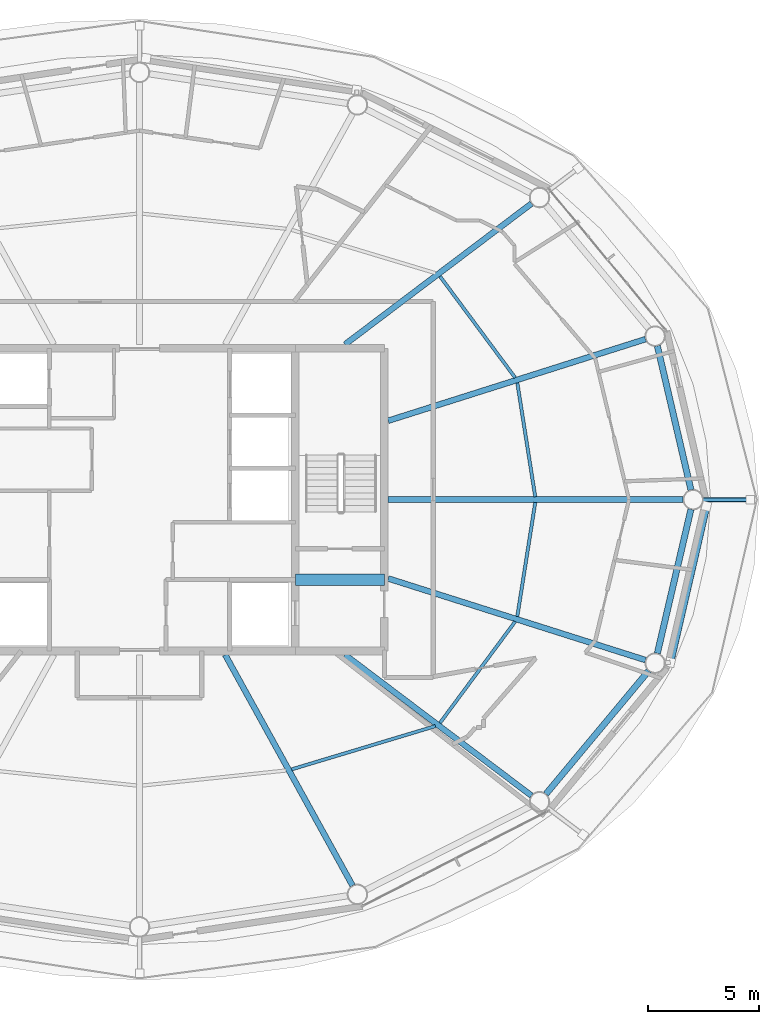
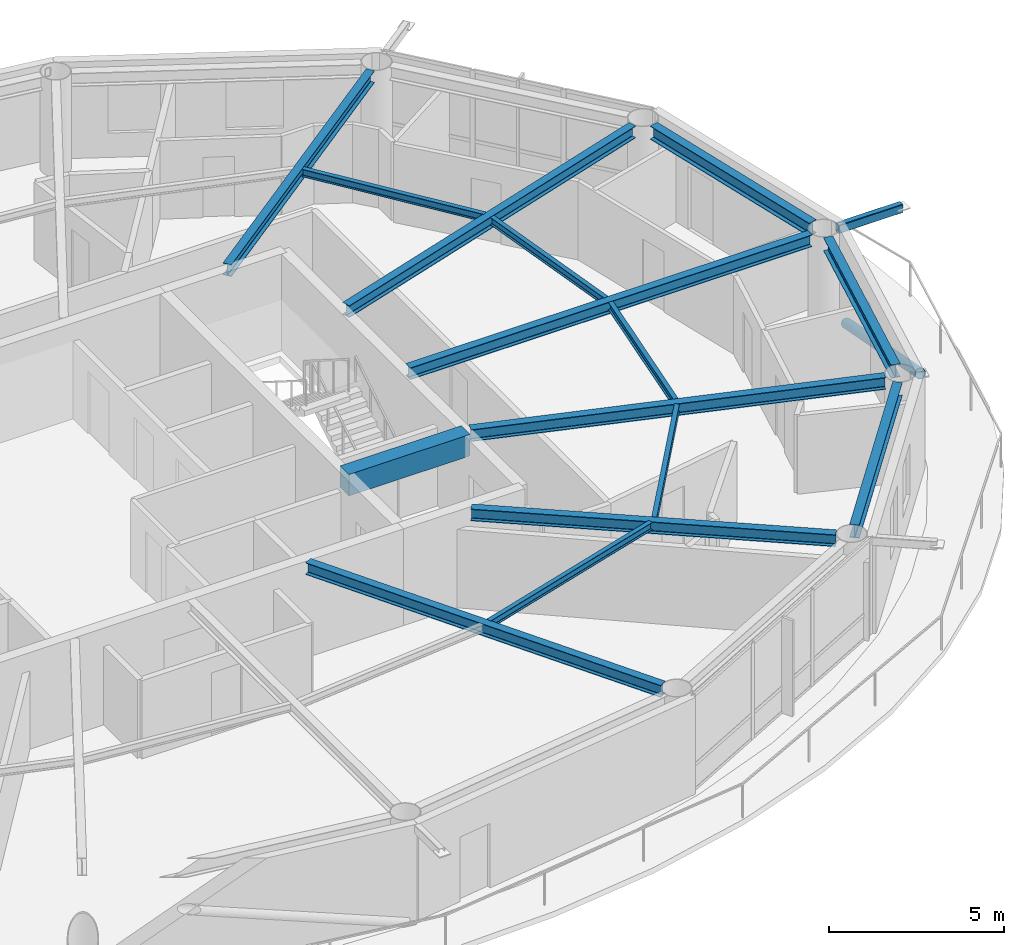
# One storey, part 6 of 22: 15 beams, 2 members.
"""IFC4 building model written with IfcOpenShell, lengths in metres."""

from ifc_helpers import new_model, si_unit, direction, frame, origin, origin_2d, place, context, subcontext, project, spatial, rectangle, hollow_rectangle, hollow_circle, i_section, extrude, material, material_profile, profile_set, type_object, element, save


model = new_model("IFC4")

# Units and contexts
model_context = context("Model", 3, precision=1e-05, world=origin(), true_north=direction((0.0, 1.0)))
body_context = subcontext(model_context, "Body", "Model", "MODEL_VIEW")
ifc_project = project(units=[si_unit("LENGTHUNIT", "METRE"), si_unit("AREAUNIT", "SQUARE_METRE"), si_unit("VOLUMEUNIT", "CUBIC_METRE"), si_unit("PLANEANGLEUNIT", "RADIAN"), si_unit("MASSUNIT", "GRAM", prefix="KILO")], contexts=[model_context])

# Site, building, storey
site_placement = place(None, origin())
site = spatial("IfcSite", under=ifc_project, at=site_placement, CompositionType="ELEMENT")
building_placement = place(site_placement, origin())
building = spatial("IfcBuilding", under=site, at=building_placement, Name="Sarneth Arch Tower", CompositionType="ELEMENT")
storey_placement = place(building_placement, frame((0.0, 0.0, 305.39990234375)))
storey = spatial("IfcBuildingStorey", under=building, at=storey_placement, Name="L79", CompositionType="ELEMENT", Elevation=305.39990234375)

# Beams
ifc_material_1 = material(Name="Steel S355", Category="steel")
ifc_material_profile_1 = material_profile(ifc_material_1, i_section(OverallWidth=0.14794921875, OverallDepth=0.26611328125, WebThickness=0.007568359375, FlangeThickness=0.012939453125, FilletRadius=0.012939453125, at=origin_2d()), Name="W250x44.8")
ifc_profile_set_1 = profile_set([ifc_material_profile_1], Name="Steel S355")
beam_type_1 = type_object("IfcBeamType", Name="BM-JOIST-250", PredefinedType="JOIST", material=ifc_profile_set_1)
beam_1_placement = place(storey_placement, frame((65.783935546875, 42.12841796875, 3.237060546875), z_axis=(-0.155556266572, 0.987827033407, 0.0), x_axis=(-0.987827033407, -0.155556266572, 0.0)))
element("IfcBeam", 1, at=beam_1_placement, inside=storey, type_object=beam_type_1, Name="L79 Secondary floor joist 01", PredefinedType="JOIST", context=body_context, shape_type="SweptSolid", body=[
    extrude(i_section(OverallWidth=0.14794921875, OverallDepth=0.26611328125, WebThickness=0.007568359375, FlangeThickness=0.012939453125, FilletRadius=0.012939453125, at=origin_2d()), origin(), (0.0, 0.0, 1.0), 5.183837890625),
])
beam_2_placement = place(storey_placement, frame((64.880126953125, 47.482177734375, 3.237060546875), z_axis=(-0.595712519616, 0.803197730309, 0.0), x_axis=(-0.803197730309, -0.595712519616, 0.0)))
element("IfcBeam", 2, at=beam_2_placement, inside=storey, type_object=beam_type_1, Name="L79 Secondary floor joist 02", PredefinedType="JOIST", context=body_context, shape_type="SweptSolid", body=[
    extrude(i_section(OverallWidth=0.14794921875, OverallDepth=0.26611328125, WebThickness=0.007568359375, FlangeThickness=0.012939453125, FilletRadius=0.012939453125, at=origin_2d()), origin(), (0.0, 0.0, 1.0), 5.669189453125),
])
beam_3_placement = place(storey_placement, frame((54.836181640625, 29.877685546875, 3.237060546875), z_axis=(0.95760703602, 0.288077705776, 0.0), x_axis=(-0.288077705776, 0.95760703602, 0.0)))
element("IfcBeam", 3, at=beam_3_placement, inside=storey, type_object=beam_type_1, Name="L79 Secondary floor joist 14", PredefinedType="JOIST", context=body_context, shape_type="SweptSolid", body=[
    extrude(i_section(OverallWidth=0.14794921875, OverallDepth=0.26611328125, WebThickness=0.007568359375, FlangeThickness=0.012939453125, FilletRadius=0.012939453125, at=origin_2d()), origin(), (0.0, 0.0, 1.0), 6.7509765625),
])
beam_4_placement = place(storey_placement, frame((61.5029296875, 31.96435546875, 3.237060546875), z_axis=(0.595712519616, 0.803197730309, 0.0), x_axis=(-0.803197730309, 0.595712519616, 0.0)))
element("IfcBeam", 4, at=beam_4_placement, inside=storey, type_object=beam_type_1, Name="L79 Secondary floor joist 15", PredefinedType="JOIST", context=body_context, shape_type="SweptSolid", body=[
    extrude(i_section(OverallWidth=0.14794921875, OverallDepth=0.26611328125, WebThickness=0.007568359375, FlangeThickness=0.012939453125, FilletRadius=0.012939453125, at=origin_2d()), origin(), (0.0, 0.0, 1.0), 5.669189453125),
])
beam_5_placement = place(storey_placement, frame((64.9775390625, 36.750732421875, 3.237060546875), z_axis=(0.155556266572, 0.987827033407, 0.0), x_axis=(-0.987827033407, 0.155556266572, 0.0)))
element("IfcBeam", 5, at=beam_5_placement, inside=storey, type_object=beam_type_1, Name="L79 Secondary floor joist 16", PredefinedType="JOIST", context=body_context, shape_type="SweptSolid", body=[
    extrude(i_section(OverallWidth=0.14794921875, OverallDepth=0.26611328125, WebThickness=0.007568359375, FlangeThickness=0.012939453125, FilletRadius=0.012939453125, at=origin_2d()), origin(), (0.0, 0.0, 1.0), 5.183837890625),
])
ifc_material_2 = material(Name="Concrete C50/60", Category="concrete")
ifc_material_profile_2 = material_profile(ifc_material_2, rectangle(XDim=0.5, YDim=0.75, at=origin_2d()), Name="RC-500x750")
ifc_profile_set_2 = profile_set([ifc_material_profile_2], Name="Concrete C50/60")
beam_type_2 = type_object("IfcBeamType", Name="BM-LINTEL-RC", PredefinedType="LINTEL", material=ifc_profile_set_2)
beam_6_placement = place(storey_placement, frame((55.0, 38.39990234375, 2.9951171875), z_axis=(1.0, 0.0, 0.0), x_axis=(0.0, 1.0, 0.0)))
element("IfcBeam", 6, at=beam_6_placement, inside=storey, type_object=beam_type_2, Name="L79 Core coupling lintel E", PredefinedType="LINTEL", context=body_context, shape_type="SweptSolid", body=[
    extrude(rectangle(XDim=0.5, YDim=0.75, at=origin_2d()), origin(), (0.0, 0.0, 1.0), 4.0),
])
ifc_material_3 = material(Name="Steel S355", Category="steel")
ifc_material_profile_3 = material_profile(ifc_material_3, i_section(OverallWidth=0.260009765625, OverallDepth=0.4150390625, WebThickness=0.010009765625, FlangeThickness=0.016845703125, FilletRadius=0.01611328125, at=origin_2d()), Name="W410x100")
ifc_profile_set_3 = profile_set([ifc_material_profile_3], Name="Steel S355")
beam_type_3 = type_object("IfcBeamType", Name="BM-RAD-410A", PredefinedType="BEAM", material=ifc_profile_set_3)
beam_7_placement = place(storey_placement, frame((59.175048828125, 42.0, 3.16259765625), z_axis=(1.0, 0.0, 0.0), x_axis=(0.0, 1.0, 0.0)))
element("IfcBeam", 7, at=beam_7_placement, inside=storey, type_object=beam_type_3, Name="L79 Radial floor girder 01", PredefinedType="BEAM", context=body_context, shape_type="SweptSolid", body=[
    extrude(i_section(OverallWidth=0.260009765625, OverallDepth=0.4150390625, WebThickness=0.010009765625, FlangeThickness=0.016845703125, FilletRadius=0.01611328125, at=origin_2d()), origin(), (0.0, 0.0, 1.0), 13.258056640625),
])
beam_8_placement = place(storey_placement, frame((59.175048828125, 45.5439453125, 3.16259765625), z_axis=(0.95321762769, 0.302284889237, 0.0), x_axis=(-0.302284889237, 0.95321762769, 0.0)))
element("IfcBeam", 8, at=beam_8_placement, inside=storey, type_object=beam_type_3, Name="L79 Radial floor girder 02", PredefinedType="BEAM", context=body_context, shape_type="SweptSolid", body=[
    extrude(i_section(OverallWidth=0.260009765625, OverallDepth=0.4150390625, WebThickness=0.010009765625, FlangeThickness=0.016845703125, FilletRadius=0.01611328125, at=origin_2d()), origin(), (0.0, 0.0, 1.0), 12.132568359375),
])
beam_9_placement = place(storey_placement, frame((57.23486328125, 48.97509765625, 3.16259765625), z_axis=(0.797981595352, 0.602681817777, 0.0), x_axis=(-0.602681817777, 0.797981595352, 0.0)))
element("IfcBeam", 9, at=beam_9_placement, inside=storey, type_object=beam_type_3, Name="L79 Radial floor girder 03", PredefinedType="BEAM", context=body_context, shape_type="SweptSolid", body=[
    extrude(i_section(OverallWidth=0.260009765625, OverallDepth=0.4150390625, WebThickness=0.010009765625, FlangeThickness=0.016845703125, FilletRadius=0.01611328125, at=origin_2d()), origin(), (0.0, 0.0, 1.0), 10.503173828125),
])
beam_10_placement = place(storey_placement, frame((51.849853515625, 35.02490234375, 3.16259765625), z_axis=(0.483229367873, -0.875493790969, 0.0), x_axis=(0.875493790969, 0.483229367873, 0.0)))
element("IfcBeam", 10, at=beam_10_placement, inside=storey, type_object=beam_type_3, Name="L79 Radial floor girder 14", PredefinedType="BEAM", context=body_context, shape_type="SweptSolid", body=[
    extrude(i_section(OverallWidth=0.260009765625, OverallDepth=0.4150390625, WebThickness=0.010009765625, FlangeThickness=0.016845703125, FilletRadius=0.01611328125, at=origin_2d()), origin(), (0.0, 0.0, 1.0), 11.843994140625),
])
beam_11_placement = place(storey_placement, frame((57.23486328125, 35.02490234375, 3.16259765625), z_axis=(0.797981595352, -0.602681817777, 0.0), x_axis=(0.602681817777, 0.797981595352, 0.0)))
element("IfcBeam", 11, at=beam_11_placement, inside=storey, type_object=beam_type_3, Name="L79 Radial floor girder 15", PredefinedType="BEAM", context=body_context, shape_type="SweptSolid", body=[
    extrude(i_section(OverallWidth=0.260009765625, OverallDepth=0.4150390625, WebThickness=0.010009765625, FlangeThickness=0.016845703125, FilletRadius=0.01611328125, at=origin_2d()), origin(), (0.0, 0.0, 1.0), 10.503173828125),
])
beam_12_placement = place(storey_placement, frame((59.175048828125, 38.4560546875, 3.16259765625), z_axis=(0.95321762769, -0.302284889237, 0.0), x_axis=(0.302284889237, 0.95321762769, 0.0)))
element("IfcBeam", 12, at=beam_12_placement, inside=storey, type_object=beam_type_3, Name="L79 Radial floor girder 16", PredefinedType="BEAM", context=body_context, shape_type="SweptSolid", body=[
    extrude(i_section(OverallWidth=0.260009765625, OverallDepth=0.4150390625, WebThickness=0.010009765625, FlangeThickness=0.016845703125, FilletRadius=0.01611328125, at=origin_2d()), origin(), (0.0, 0.0, 1.0), 12.132568359375),
])
ifc_material_4 = material(Name="Steel S355", Category="steel")
ifc_material_profile_4 = material_profile(ifc_material_4, i_section(OverallWidth=0.280029296875, OverallDepth=0.462890625, WebThickness=0.0107421875, FlangeThickness=0.017333984375, FilletRadius=0.01806640625, at=origin_2d()), Name="W460x113")
ifc_profile_set_4 = profile_set([ifc_material_profile_4], Name="Steel S355")
beam_type_4 = type_object("IfcBeamType", Name="BM-RAD-460A", PredefinedType="BEAM", material=ifc_profile_set_4)
beam_13_placement = place(storey_placement, frame((72.781005859375, 42.438232421875, 3.138671875), z_axis=(-0.227247037844, 0.973837144389, 0.0), x_axis=(-0.973837144389, -0.227247037844, 0.0)))
element("IfcBeam", 13, at=beam_13_placement, inside=storey, type_object=beam_type_4, Name="L79 Perimeter spandrel beam 01", PredefinedType="BEAM", context=body_context, shape_type="SweptSolid", body=[
    extrude(i_section(OverallWidth=0.280029296875, OverallDepth=0.462890625, WebThickness=0.0107421875, FlangeThickness=0.017333984375, FilletRadius=0.01806640625, at=origin_2d()), origin(), (0.0, 0.0, 1.0), 6.644775390625),
])
beam_14_placement = place(storey_placement, frame((66.263427734375, 28.769287109375, 3.138671875), z_axis=(0.640390876881, 0.768049168222, 0.0), x_axis=(-0.768049168222, 0.640390876881, 0.0)))
element("IfcBeam", 14, at=beam_14_placement, inside=storey, type_object=beam_type_4, Name="L79 Perimeter spandrel beam 15", PredefinedType="BEAM", context=body_context, shape_type="SweptSolid", body=[
    extrude(i_section(OverallWidth=0.280029296875, OverallDepth=0.462890625, WebThickness=0.0107421875, FlangeThickness=0.017333984375, FilletRadius=0.01806640625, at=origin_2d()), origin(), (0.0, 0.0, 1.0), 7.2099609375),
])
beam_15_placement = place(storey_placement, frame((71.27099609375, 35.0908203125, 3.138671875), z_axis=(0.227247037844, 0.973837144389, 0.0), x_axis=(-0.973837144389, 0.227247037844, 0.0)))
element("IfcBeam", 15, at=beam_15_placement, inside=storey, type_object=beam_type_4, Name="L79 Perimeter spandrel beam 16", PredefinedType="BEAM", context=body_context, shape_type="SweptSolid", body=[
    extrude(i_section(OverallWidth=0.280029296875, OverallDepth=0.462890625, WebThickness=0.0107421875, FlangeThickness=0.017333984375, FilletRadius=0.01806640625, at=origin_2d()), origin(), (0.0, 0.0, 1.0), 6.644775390625),
])

# Members
ifc_material_5 = material(Name="Steel S355", Category="steel")
ifc_material_profile_5 = material_profile(ifc_material_5, hollow_rectangle(XDim=0.199951171875, YDim=0.300048828125, WallThickness=0.012451171875, InnerFilletRadius=0.018798828125, OuterFilletRadius=0.03125, at=origin_2d()), Name="RHS300x200x12.5")
ifc_profile_set_5 = profile_set([ifc_material_profile_5], Name="Steel S355")
member_type_1 = type_object("IfcMemberType", Name="MEM-CANT-STRUT", PredefinedType="STRUT", material=ifc_profile_set_5)
member_1_placement = place(storey_placement, frame((73.333251953125, 42.0, 3.210205078125), z_axis=(1.0, 0.0, 0.0), x_axis=(0.0, 1.0, 0.0)))
element("IfcMember", 16, at=member_1_placement, inside=storey, type_object=member_type_1, Name="L79 Balcony cantilever bracket 01", PredefinedType="STRUT", context=body_context, shape_type="SweptSolid", body=[
    extrude(hollow_rectangle(XDim=0.199951171875, YDim=0.300048828125, WallThickness=0.012451171875, InnerFilletRadius=0.018798828125, OuterFilletRadius=0.03125, at=origin_2d()), origin(), (0.0, 0.0, 1.0), 2.113037109375),
])
ifc_material_6 = material(Name="Steel S355", Category="steel")
ifc_material_profile_6 = material_profile(ifc_material_6, hollow_circle(Radius=0.162109375, WallThickness=0.012451171875, at=origin_2d()), Name="CHS324x12.5")
ifc_profile_set_6 = profile_set([ifc_material_profile_6], Name="Steel S355")
member_type_2 = type_object("IfcMemberType", Name="MEM-DIAG-BR3", PredefinedType="BRACE", material=ifc_profile_set_6)
member_2_placement = place(storey_placement, frame((73.4765625, 41.707763671875, 0.02001953125), z_axis=(-0.207343373373, -0.896265487877, 0.392067469651), x_axis=(0.974268900284, -0.225388797281, 0.0)))
element("IfcMember", 17, at=member_2_placement, inside=storey, type_object=member_type_2, Name="L79 Perimeter frame diagonal 16", PredefinedType="BRACE", context=body_context, shape_type="SweptSolid", body=[
    extrude(hollow_circle(Radius=0.162109375, WallThickness=0.012451171875, at=origin_2d()), origin(), (0.0, 0.0, 1.0), 7.836181640625),
])

save(model, "model.ifc")
